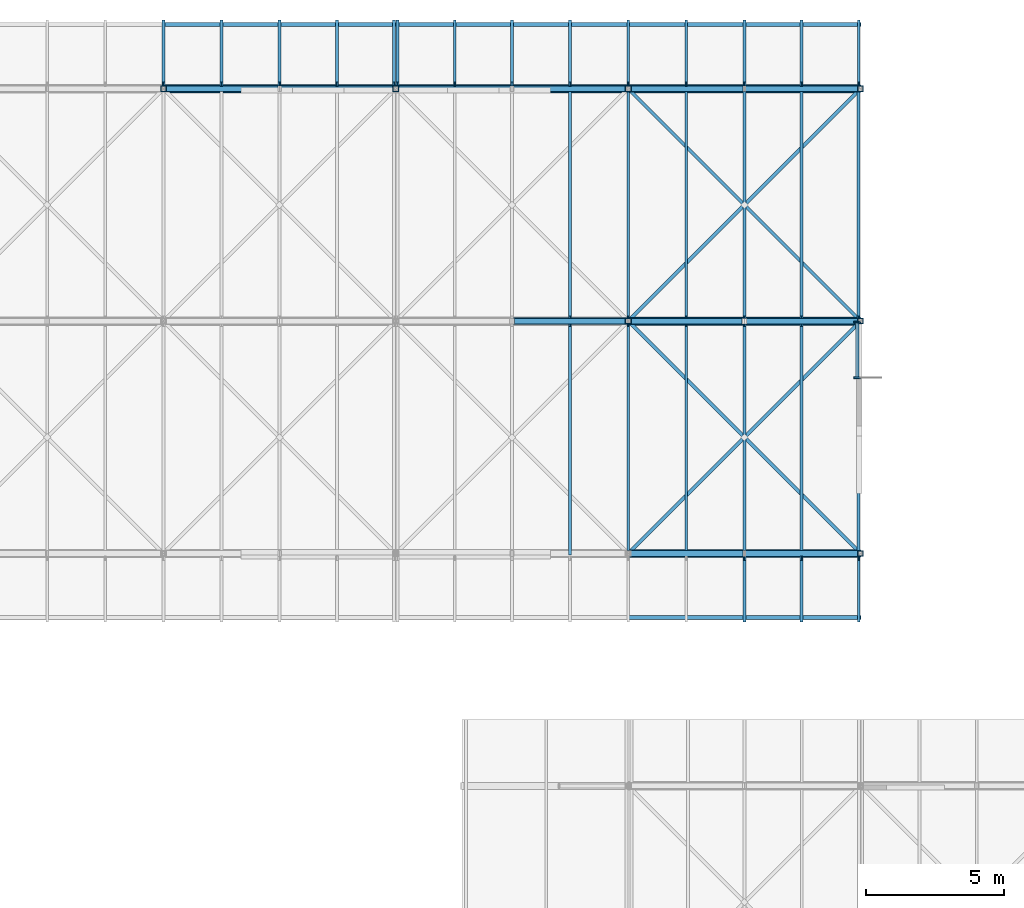
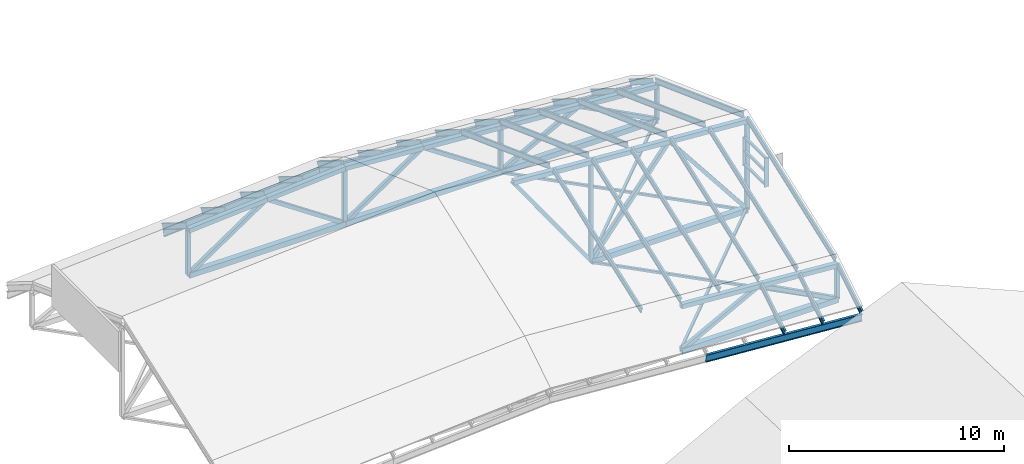
# One storey, part 23 of 76: 49 beams, 27 members, 1 element without a shape of its own.
"""IFC4 building model written with IfcOpenShell, lengths in metres."""

from ifc_helpers import new_model, si_unit, direction, frame, origin, origin_2d, place, context, subcontext, project, spatial, rectangle, hollow_rectangle, i_section, extrude, material, material_profile, profile_set, type_object, element, aggregate, save


model = new_model("IFC4")

# Units and contexts
model_context = context("Model", 3, precision=1e-05, world=origin(), true_north=direction((0.0, 1.0)))
body_context = subcontext(model_context, "Body", "Model", "MODEL_VIEW")
ifc_project = project(units=[si_unit("LENGTHUNIT", "METRE"), si_unit("AREAUNIT", "SQUARE_METRE"), si_unit("VOLUMEUNIT", "CUBIC_METRE"), si_unit("PLANEANGLEUNIT", "RADIAN"), si_unit("MASSUNIT", "GRAM", prefix="KILO")], contexts=[model_context])

# Site, building, storey
site_placement = place(None, origin())
site = spatial("IfcSite", under=ifc_project, at=site_placement, CompositionType="ELEMENT")
building_placement = place(site_placement, origin())
building = spatial("IfcBuilding", under=site, at=building_placement, Name="Hlaing Beacon Police Headquarters", CompositionType="ELEMENT")
storey_placement = place(building_placement, frame((0.0, 0.0, 18.89990234375)))
storey = spatial("IfcBuildingStorey", under=building, at=storey_placement, Name="L04", CompositionType="ELEMENT", Elevation=18.89990234375)

# Beams
ifc_material_1 = material(Name="Steel ASTM A992 Grade 50", Category="steel")
ifc_material_profile_1 = material_profile(ifc_material_1, i_section(OverallWidth=0.140380859375, OverallDepth=0.40380859375, WebThickness=0.007080078125, FlangeThickness=0.01123046875, FilletRadius=0.01025390625, at=origin_2d()), Name="W16x31")
ifc_profile_set_1 = profile_set([ifc_material_profile_1], Name="Steel ASTM A992 Grade 50")
beam_type_1 = type_object("IfcBeamType", Name="Eave edge beam W16x31", PredefinedType="BEAM", material=ifc_profile_set_1)
for number, where, z_axis, x_axis, name in (
    (1, (58.800048828125, 73.28271484375, -1.60009765625), (0.997459876989, 0.0, -0.071230567859), (0.0, 1.0, 0.0), "STR-RT-V2-EB-R2-02"),
    (2, (42.0, 94.71728515625, -1.60009765625), (0.997457816785, 0.0, 0.071259411546), (0.0, 1.0, 0.0), "STR-RT-V2-EB-R7-02"),
):
    element("IfcBeam", number, at=place(storey_placement, frame(where, z_axis=z_axis, x_axis=x_axis)), inside=storey, type_object=beam_type_1, Name=name, PredefinedType="BEAM", context=body_context, shape_type="SweptSolid", body=[
        extrude(i_section(OverallWidth=0.140380859375, OverallDepth=0.40380859375, WebThickness=0.007080078125, FlangeThickness=0.01123046875, FilletRadius=0.01025390625, at=origin_2d()), origin(), (0.0, 0.0, 1.0), 8.42138671875),
    ])
beam_1_placement = place(storey_placement, frame((50.39990234375, 94.71728515625, -1.0), z_axis=(0.997457963991, 0.0, -0.071257350989), x_axis=(0.0, 1.0, 0.0)))
element("IfcBeam", 3, at=beam_1_placement, inside=storey, type_object=beam_type_1, Name="STR-RT-V2-EB-R8-01", PredefinedType="BEAM", context=body_context, shape_type="SweptSolid", body=[
    extrude(i_section(OverallWidth=0.140380859375, OverallDepth=0.40380859375, WebThickness=0.007080078125, FlangeThickness=0.01123046875, FilletRadius=0.01025390625, at=origin_2d()), origin(), (0.0, 0.0, 1.0), 8.421630859375),
])
beam_2_placement = place(storey_placement, frame((58.800048828125, 94.71728515625, -1.60009765625), z_axis=(0.997459876989, 0.0, -0.071230567859), x_axis=(0.0, 1.0, 0.0)))
element("IfcBeam", 4, at=beam_2_placement, inside=storey, type_object=beam_type_1, Name="STR-RT-V2-EB-R8-02", PredefinedType="BEAM", context=body_context, shape_type="SweptSolid", body=[
    extrude(i_section(OverallWidth=0.140380859375, OverallDepth=0.40380859375, WebThickness=0.007080078125, FlangeThickness=0.01123046875, FilletRadius=0.01025390625, at=origin_2d()), origin(), (0.0, 0.0, 1.0), 8.42138671875),
])

# Curtain wall, members
ifc_material_2 = material(Name="Aluminium frame with solar control glazing", Category="aluminium")
curtain_wall_type = type_object("IfcCurtainWallType", Name="Unitised curtain wall 2.08 x 1.63 (250 frame)", PredefinedType="NOTDEFINED", material=ifc_material_2)
curtain_wall_placement = place(storey_placement, origin())
curtain_wall = element("IfcCurtainWall", 5, at=curtain_wall_placement, inside=storey, type_object=curtain_wall_type, Name="ENV-CW-L04-E003", PredefinedType="NOTDEFINED")
ifc_material_3 = material(Name="Aluminium", Category="aluminium")
ifc_material_profile_2 = material_profile(ifc_material_3, rectangle(XDim=0.25, YDim=0.06005859375, at=origin_2d()), Name="Mullion 60x250")
ifc_profile_set_2 = profile_set([ifc_material_profile_2], Name="Aluminium")
member_type_1 = type_object("IfcMemberType", Name="Mullion 60x250", PredefinedType="MULLION", material=ifc_profile_set_2)
member_1_placement = place(storey_placement, frame((67.074951171875, 81.952880859375, 0.0), z_axis=(0.0, 0.0, 1.0), x_axis=(-1.0, 0.0, 0.0)))
member_1 = element("IfcMember", 6, at=member_1_placement, type_object=member_type_1, Name="CW-L04-E003 mullion 1", PredefinedType="MULLION", context=body_context, shape_type="SweptSolid", body=[
    extrude(rectangle(XDim=0.25, YDim=0.06005859375, at=origin_2d()), origin(), (0.0, 0.0, 1.0), 1.63330078125),
])
member_2_placement = place(storey_placement, frame((67.074951171875, 83.969970703125, 0.0), z_axis=(0.0, 0.0, 1.0), x_axis=(-1.0, 0.0, 0.0)))
member_2 = element("IfcMember", 7, at=member_2_placement, type_object=member_type_1, Name="CW-L04-E003 mullion 2", PredefinedType="MULLION", context=body_context, shape_type="SweptSolid", body=[
    extrude(rectangle(XDim=0.25, YDim=0.06005859375, at=origin_2d()), origin(), (0.0, 0.0, 1.0), 1.63330078125),
])

# Members
ifc_material_4 = material(Name="Steel ASTM A500 Grade C", Category="steel")
ifc_material_profile_3 = material_profile(ifc_material_4, hollow_rectangle(XDim=0.126953125, YDim=0.126953125, WallThickness=0.009521484375, at=origin_2d()), Name="HSS5x5x3/8")
ifc_profile_set_3 = profile_set([ifc_material_profile_3], Name="Steel ASTM A500 Grade C")
member_type_2 = type_object("IfcMemberType", Name="Roof plan brace HSS5x5x3/8", PredefinedType="BRACE", material=ifc_profile_set_3)
for number, where, z_axis, x_axis, name in (
    (8, (58.800048828125, 75.60009765625, -2.47412109375), (0.707106781187, 0.707106781187, 0.0), (-0.707106781187, 0.707106781187, 0.0), "STR-RT-V2-WB07"),
    (9, (58.800048828125, 84.0, -2.62109375), (0.707106781187, -0.707106781187, 0.0), (0.707106781187, 0.707106781187, 0.0), "STR-RT-V2-WB08"),
    (10, (58.800048828125, 84.0, -2.47412109375), (0.707106781187, 0.707106781187, 0.0), (-0.707106781187, 0.707106781187, 0.0), "STR-RT-V2-WB15"),
    (11, (58.800048828125, 92.39990234375, -2.62109375), (0.707106781187, -0.707106781187, 0.0), (0.707106781187, 0.707106781187, 0.0), "STR-RT-V2-WB16"),
):
    element("IfcMember", number, at=place(storey_placement, frame(where, z_axis=z_axis, x_axis=x_axis)), inside=storey, type_object=member_type_2, Name=name, PredefinedType="BRACE", context=body_context, shape_type="SweptSolid", body=[
        extrude(hollow_rectangle(XDim=0.126953125, YDim=0.126953125, WallThickness=0.009521484375, at=origin_2d()), origin(), (0.0, 0.0, 1.0), 11.879150390625),
    ])

# Beams
ifc_material_5 = material(Name="Steel ASTM A992 Grade 50", Category="steel")
ifc_material_profile_4 = material_profile(ifc_material_5, i_section(OverallWidth=0.102294921875, OverallDepth=0.3125, WebThickness=0.006591796875, FlangeThickness=0.0107421875, FilletRadius=0.007568359375, at=origin_2d()), Name="W12x22")
ifc_profile_set_4 = profile_set([ifc_material_profile_4], Name="Steel ASTM A992 Grade 50")
beam_type_2 = type_object("IfcBeamType", Name="Roof purlin W12x22", PredefinedType="BEAM", material=ifc_profile_set_4)
for number, where, z_axis, x_axis, name in (
    (12, (63.0, 73.199951171875, -1.565185546875), (0.0, 0.848013935671, 0.529973928516), (-1.0, 0.0, 0.0), "STR-RT-V2-PR-R2-07-1"),
    (13, (65.06494140625, 73.199951171875, -1.712890625), (0.0, 0.847972250869, 0.530040622741), (-1.0, 0.0, 0.0), "STR-RT-V2-PR-R2-08-1"),
    (14, (67.129638671875, 73.199951171875, -1.8603515625), (0.0, 0.847972250869, 0.530040622741), (-1.0, 0.0, 0.0), "STR-RT-V2-PR-R2-09-1"),
):
    element("IfcBeam", number, at=place(storey_placement, frame(where, z_axis=z_axis, x_axis=x_axis)), inside=storey, type_object=beam_type_2, Name=name, PredefinedType="BEAM", context=body_context, shape_type="SweptSolid", body=[
        extrude(i_section(OverallWidth=0.102294921875, OverallDepth=0.3125, WebThickness=0.006591796875, FlangeThickness=0.0107421875, FilletRadius=0.007568359375, at=origin_2d()), origin(), (0.0, 0.0, 1.0), 2.63232421875),
    ])
for number, where, z_axis, x_axis, name in (
    (15, (56.699951171875, 75.60009765625, 0.41943359375), (0.0, 0.938153150415, 0.346220545846), (-1.0, 0.0, 0.0), "STR-RT-V2-PR-R4-04-1"),
    (16, (58.800048828125, 75.60009765625, 0.269287109375), (0.0, 0.938144144405, 0.346244948437), (-1.0, 0.0, 0.0), "STR-RT-V2-PR-R4-05-1"),
    (17, (60.89990234375, 75.60009765625, 0.119384765625), (0.0, 0.938144144405, 0.346244948437), (-1.0, 0.0, 0.0), "STR-RT-V2-PR-R4-06-1"),
    (18, (63.0, 75.60009765625, -0.030517578125), (0.0, 0.938153150415, 0.346220545846), (-1.0, 0.0, 0.0), "STR-RT-V2-PR-R4-07-1"),
    (19, (65.064453125, 75.60009765625, -0.17822265625), (0.0, 0.938144144405, 0.346244948437), (-1.0, 0.0, 0.0), "STR-RT-V2-PR-R4-08-1"),
    (20, (67.12890625, 75.60009765625, -0.325439453125), (0.0, 0.938153150415, 0.346220545846), (-1.0, 0.0, 0.0), "STR-RT-V2-PR-R4-09-1"),
    (21, (56.699951171875, 84.13916015625, 3.468017578125), (0.0, 0.938153150415, -0.346220545846), (-1.0, 0.0, 0.0), "STR-RT-V2-PR-R6-04-1"),
    (22, (58.800048828125, 84.13916015625, 3.318115234375), (0.0, 0.938144144405, -0.346244948437), (-1.0, 0.0, 0.0), "STR-RT-V2-PR-R6-05-1"),
    (23, (60.89990234375, 84.13916015625, 3.168212890625), (0.0, 0.938144144405, -0.346244948437), (-1.0, 0.0, 0.0), "STR-RT-V2-PR-R6-06-1"),
    (24, (63.0, 84.13916015625, 3.01806640625), (0.0, 0.938153150415, -0.346220545846), (-1.0, 0.0, 0.0), "STR-RT-V2-PR-R6-07-1"),
    (25, (65.064453125, 84.13916015625, 2.87060546875), (0.0, 0.938144144405, -0.346244948437), (-1.0, 0.0, 0.0), "STR-RT-V2-PR-R6-08-1"),
    (26, (67.12890625, 84.13916015625, 2.72314453125), (0.0, 0.938153150415, -0.346220545846), (-1.0, 0.0, 0.0), "STR-RT-V2-PR-R6-09-1"),
):
    element("IfcBeam", number, at=place(storey_placement, frame(where, z_axis=z_axis, x_axis=x_axis)), inside=storey, type_object=beam_type_2, Name=name, PredefinedType="BEAM", context=body_context, shape_type="SweptSolid", body=[
        extrude(i_section(OverallWidth=0.102294921875, OverallDepth=0.3125, WebThickness=0.006591796875, FlangeThickness=0.0107421875, FilletRadius=0.007568359375, at=origin_2d()), origin(), (0.0, 0.0, 1.0), 8.805419921875),
    ])
for number, where, z_axis, x_axis, name in (
    (27, (42.0, 92.56787109375, 0.1298828125), (0.0, 0.847972250869, -0.530040622741), (-1.0, 0.0, 0.0), "STR-RT-V2-PR-R7-05-1"),
    (28, (44.10009765625, 92.56787109375, 0.27978515625), (0.0, 0.848013935671, -0.529973928516), (-1.0, 0.0, 0.0), "STR-RT-V2-PR-R7-06-1"),
    (29, (46.199951171875, 92.56787109375, 0.429931640625), (0.0, 0.847972250869, -0.530040622741), (-1.0, 0.0, 0.0), "STR-RT-V2-PR-R7-07-1"),
    (30, (48.269287109375, 92.56787109375, 0.57763671875), (0.0, 0.848013935671, -0.529973928516), (-1.0, 0.0, 0.0), "STR-RT-V2-PR-R7-08-1"),
    (31, (50.3388671875, 92.56787109375, 0.7255859375), (0.0, 0.847972250869, -0.530040622741), (-1.0, 0.0, 0.0), "STR-RT-V2-PR-R7-09-1"),
    (32, (50.461181640625, 92.56787109375, 0.7255859375), (0.0, 0.847972250869, -0.530040622741), (-1.0, 0.0, 0.0), "STR-RT-V2-PR-R8-01-1"),
    (33, (52.530517578125, 92.56787109375, 0.57763671875), (0.0, 0.848013935671, -0.529973928516), (-1.0, 0.0, 0.0), "STR-RT-V2-PR-R8-02-1"),
    (34, (54.60009765625, 92.56787109375, 0.429931640625), (0.0, 0.847972250869, -0.530040622741), (-1.0, 0.0, 0.0), "STR-RT-V2-PR-R8-03-1"),
    (35, (56.699951171875, 92.56787109375, 0.27978515625), (0.0, 0.848013935671, -0.529973928516), (-1.0, 0.0, 0.0), "STR-RT-V2-PR-R8-04-1"),
    (36, (58.800048828125, 92.56787109375, 0.1298828125), (0.0, 0.847972250869, -0.530040622741), (-1.0, 0.0, 0.0), "STR-RT-V2-PR-R8-05-1"),
    (37, (60.89990234375, 92.56787109375, -0.02001953125), (0.0, 0.847972250869, -0.530040622741), (-1.0, 0.0, 0.0), "STR-RT-V2-PR-R8-06-1"),
    (38, (63.0, 92.56787109375, -0.170166015625), (0.0, 0.848013935671, -0.529973928516), (-1.0, 0.0, 0.0), "STR-RT-V2-PR-R8-07-1"),
    (39, (65.06494140625, 92.56787109375, -0.317626953125), (0.0, 0.847972250869, -0.530040622741), (-1.0, 0.0, 0.0), "STR-RT-V2-PR-R8-08-1"),
    (40, (67.129638671875, 92.56787109375, -0.465087890625), (0.0, 0.847972250869, -0.530040622741), (-1.0, 0.0, 0.0), "STR-RT-V2-PR-R8-09-1"),
):
    element("IfcBeam", number, at=place(storey_placement, frame(where, z_axis=z_axis, x_axis=x_axis)), inside=storey, type_object=beam_type_2, Name=name, PredefinedType="BEAM", context=body_context, shape_type="SweptSolid", body=[
        extrude(i_section(OverallWidth=0.102294921875, OverallDepth=0.3125, WebThickness=0.006591796875, FlangeThickness=0.0107421875, FilletRadius=0.007568359375, at=origin_2d()), origin(), (0.0, 0.0, 1.0), 2.63232421875),
    ])

# Member
ifc_material_6 = material(Name="Aluminium", Category="aluminium")
ifc_material_profile_5 = material_profile(ifc_material_6, rectangle(XDim=0.1201171875, YDim=0.10009765625, at=origin_2d()), Name="Transom 120x100")
ifc_profile_set_5 = profile_set([ifc_material_profile_5], Name="Aluminium")
member_type_3 = type_object("IfcMemberType", Name="Transom 120x100", PredefinedType="USERDEFINED", material=ifc_profile_set_5)
member_3_placement = place(storey_placement, frame((67.074951171875, 81.98291015625, 0.050048828125), z_axis=(0.0, 1.0, 0.0), x_axis=(-1.0, 0.0, 0.0)))
member_3 = element("IfcMember", 41, at=member_3_placement, type_object=member_type_3, Name="CW-L04-E003 transom 1.1", ObjectType="TRANSOM", PredefinedType="USERDEFINED", context=body_context, shape_type="SweptSolid", body=[
    extrude(rectangle(XDim=0.1201171875, YDim=0.10009765625, at=origin_2d()), origin(), (0.0, 0.0, 1.0), 1.95703125),
])

member_4_placement = place(storey_placement, frame((67.074951171875, 81.98291015625, 0.817138671875), z_axis=(0.0, 1.0, 0.0), x_axis=(-1.0, 0.0, 0.0)))
member_4 = element("IfcMember", 42, at=member_4_placement, type_object=member_type_3, Name="CW-L04-E003 transom 1.2", ObjectType="TRANSOM", PredefinedType="USERDEFINED", context=body_context, shape_type="SweptSolid", body=[
    extrude(rectangle(XDim=0.1201171875, YDim=0.10009765625, at=origin_2d()), origin(), (0.0, 0.0, 1.0), 1.95703125),
])

member_5_placement = place(storey_placement, frame((67.074951171875, 81.98291015625, 1.58349609375), z_axis=(0.0, 1.0, 0.0), x_axis=(-1.0, 0.0, 0.0)))
member_5 = element("IfcMember", 43, at=member_5_placement, type_object=member_type_3, Name="CW-L04-E003 transom 1.3", ObjectType="TRANSOM", PredefinedType="USERDEFINED", context=body_context, shape_type="SweptSolid", body=[
    extrude(rectangle(XDim=0.1201171875, YDim=0.10009765625, at=origin_2d()), origin(), (0.0, 0.0, 1.0), 1.95703125),
])

aggregate(curtain_wall, [member_1, member_2, member_3, member_4, member_5])

# Beams
ifc_material_7 = material(Name="Steel ASTM A500 Grade C", Category="steel")
ifc_material_profile_6 = material_profile(ifc_material_7, hollow_rectangle(XDim=0.3046875, YDim=0.3046875, WallThickness=0.015869140625, at=origin_2d()), Name="HSS12x12x5/8")
ifc_profile_set_6 = profile_set([ifc_material_profile_6], Name="Steel ASTM A500 Grade C")
beam_type_3 = type_object("IfcBeamType", Name="Truss bottom chord HSS12x12x5/8", PredefinedType="BEAM", material=ifc_profile_set_6)
for number, where, z_axis, x_axis, name in (
    (44, (58.800048828125, 75.60009765625, -2.547607421875), (1.0, 0.0, 0.0), (0.0, 1.0, 0.0), "STR-RT-V2-T1-BC04"),
    (45, (58.800048828125, 84.0, -2.547607421875), (1.0, 0.0, 0.0), (0.0, 1.0, 0.0), "STR-RT-V2-T2-BC04"),
    (46, (42.0, 92.39990234375, -2.547607421875), (1.0, 0.0, 0.0), (0.0, 1.0, 0.0), "STR-RT-V2-T3-BC02"),
):
    element("IfcBeam", number, at=place(storey_placement, frame(where, z_axis=z_axis, x_axis=x_axis)), inside=storey, type_object=beam_type_3, Name=name, PredefinedType="BEAM", context=body_context, shape_type="SweptSolid", body=[
        extrude(hollow_rectangle(XDim=0.3046875, YDim=0.3046875, WallThickness=0.015869140625, at=origin_2d()), origin(), (0.0, 0.0, 1.0), 8.39990234375),
    ])
beam_3_placement = place(storey_placement, frame((50.39990234375, 92.39990234375, -2.547607421875), z_axis=(1.0, 0.0, 0.0), x_axis=(0.0, 1.0, 0.0)))
element("IfcBeam", 47, at=beam_3_placement, inside=storey, type_object=beam_type_3, Name="STR-RT-V2-T3-BC03", PredefinedType="BEAM", context=body_context, shape_type="SweptSolid", body=[
    extrude(hollow_rectangle(XDim=0.3046875, YDim=0.3046875, WallThickness=0.015869140625, at=origin_2d()), origin(), (0.0, 0.0, 1.0), 8.400146484375),
])
beam_4_placement = place(storey_placement, frame((58.800048828125, 92.39990234375, -2.547607421875), z_axis=(1.0, 0.0, 0.0), x_axis=(0.0, 1.0, 0.0)))
element("IfcBeam", 48, at=beam_4_placement, inside=storey, type_object=beam_type_3, Name="STR-RT-V2-T3-BC04", PredefinedType="BEAM", context=body_context, shape_type="SweptSolid", body=[
    extrude(hollow_rectangle(XDim=0.3046875, YDim=0.3046875, WallThickness=0.015869140625, at=origin_2d()), origin(), (0.0, 0.0, 1.0), 8.39990234375),
])

# Members
ifc_material_8 = material(Name="Steel ASTM A500 Grade C", Category="steel")
ifc_material_profile_7 = material_profile(ifc_material_8, hollow_rectangle(XDim=0.203125, YDim=0.203125, WallThickness=0.015869140625, at=origin_2d()), Name="HSS8x8x5/8")
ifc_profile_set_7 = profile_set([ifc_material_profile_7], Name="Steel ASTM A500 Grade C")
member_type_4 = type_object("IfcMemberType", Name="Truss post HSS8x8x5/8", PredefinedType="POST", material=ifc_profile_set_7)
member_6_placement = place(storey_placement, frame((67.199951171875, 75.60009765625, -2.547607421875), z_axis=(0.0, 0.0, 1.0), x_axis=(1.0, 0.0, 0.0)))
element("IfcMember", 49, at=member_6_placement, inside=storey, type_object=member_type_4, Name="STR-RT-V2-T1-PS05", PredefinedType="POST", context=body_context, shape_type="SweptSolid", body=[
    extrude(hollow_rectangle(XDim=0.203125, YDim=0.203125, WallThickness=0.015869140625, at=origin_2d()), origin(), (0.0, 0.0, 1.0), 1.931884765625),
])
member_7_placement = place(storey_placement, frame((58.800048828125, 84.0, -2.547607421875), z_axis=(0.0, 0.0, 1.0), x_axis=(1.0, 0.0, 0.0)))
element("IfcMember", 50, at=member_7_placement, inside=storey, type_object=member_type_4, Name="STR-RT-V2-T2-PS04", PredefinedType="POST", context=body_context, shape_type="SweptSolid", body=[
    extrude(hollow_rectangle(XDim=0.203125, YDim=0.203125, WallThickness=0.015869140625, at=origin_2d()), origin(), (0.0, 0.0, 1.0), 5.640380859375),
])
member_8_placement = place(storey_placement, frame((67.199951171875, 84.0, -2.547607421875), z_axis=(0.0, 0.0, 1.0), x_axis=(1.0, 0.0, 0.0)))
element("IfcMember", 51, at=member_8_placement, inside=storey, type_object=member_type_4, Name="STR-RT-V2-T2-PS05", PredefinedType="POST", context=body_context, shape_type="SweptSolid", body=[
    extrude(hollow_rectangle(XDim=0.203125, YDim=0.203125, WallThickness=0.015869140625, at=origin_2d()), origin(), (0.0, 0.0, 1.0), 5.040283203125),
])
member_9_placement = place(storey_placement, frame((42.0, 92.39990234375, -2.547607421875), z_axis=(0.0, 0.0, 1.0), x_axis=(1.0, 0.0, 0.0)))
element("IfcMember", 52, at=member_9_placement, inside=storey, type_object=member_type_4, Name="STR-RT-V2-T3-PS02", PredefinedType="POST", context=body_context, shape_type="SweptSolid", body=[
    extrude(hollow_rectangle(XDim=0.203125, YDim=0.203125, WallThickness=0.015869140625, at=origin_2d()), origin(), (0.0, 0.0, 1.0), 2.531982421875),
])
member_10_placement = place(storey_placement, frame((50.39990234375, 92.39990234375, -2.547607421875), z_axis=(0.0, 0.0, 1.0), x_axis=(1.0, 0.0, 0.0)))
element("IfcMember", 53, at=member_10_placement, inside=storey, type_object=member_type_4, Name="STR-RT-V2-T3-PS03", PredefinedType="POST", context=body_context, shape_type="SweptSolid", body=[
    extrude(hollow_rectangle(XDim=0.203125, YDim=0.203125, WallThickness=0.015869140625, at=origin_2d()), origin(), (0.0, 0.0, 1.0), 3.143798828125),
])
member_11_placement = place(storey_placement, frame((58.800048828125, 92.39990234375, -2.547607421875), z_axis=(0.0, 0.0, 1.0), x_axis=(1.0, 0.0, 0.0)))
element("IfcMember", 54, at=member_11_placement, inside=storey, type_object=member_type_4, Name="STR-RT-V2-T3-PS04", PredefinedType="POST", context=body_context, shape_type="SweptSolid", body=[
    extrude(hollow_rectangle(XDim=0.203125, YDim=0.203125, WallThickness=0.015869140625, at=origin_2d()), origin(), (0.0, 0.0, 1.0), 2.531982421875),
])
member_12_placement = place(storey_placement, frame((67.199951171875, 92.39990234375, -2.547607421875), z_axis=(0.0, 0.0, 1.0), x_axis=(1.0, 0.0, 0.0)))
element("IfcMember", 55, at=member_12_placement, inside=storey, type_object=member_type_4, Name="STR-RT-V2-T3-PS05", PredefinedType="POST", context=body_context, shape_type="SweptSolid", body=[
    extrude(hollow_rectangle(XDim=0.203125, YDim=0.203125, WallThickness=0.015869140625, at=origin_2d()), origin(), (0.0, 0.0, 1.0), 1.931884765625),
])

# Beams
ifc_material_9 = material(Name="Steel ASTM A500 Grade C", Category="steel")
ifc_material_profile_8 = material_profile(ifc_material_9, hollow_rectangle(XDim=0.25390625, YDim=0.25390625, WallThickness=0.015869140625, at=origin_2d()), Name="HSS10x10x5/8")
ifc_profile_set_8 = profile_set([ifc_material_profile_8], Name="Steel ASTM A500 Grade C")
beam_type_4 = type_object("IfcBeamType", Name="Truss top chord HSS10x10x5/8", PredefinedType="BEAM", material=ifc_profile_set_8)
for number, where, z_axis, x_axis, name in (
    (56, (58.800048828125, 75.60009765625, -0.015625), (0.997457816785, 0.0, -0.071259411546), (0.0, 1.0, 0.0), "STR-RT-V2-T1-TC07"),
    (57, (63.0, 75.60009765625, -0.315673828125), (0.997457816785, 0.0, -0.071259411546), (0.0, 1.0, 0.0), "STR-RT-V2-T1-TC08"),
    (58, (54.60009765625, 84.0, 3.392822265625), (0.997457816785, 0.0, -0.071259411546), (0.0, 1.0, 0.0), "STR-RT-V2-T2-TC06"),
    (59, (58.800048828125, 84.0, 3.0927734375), (0.997457816785, 0.0, -0.071259411546), (0.0, 1.0, 0.0), "STR-RT-V2-T2-TC07"),
    (60, (63.0, 84.0, 2.792724609375), (0.997457816785, 0.0, -0.071259411546), (0.0, 1.0, 0.0), "STR-RT-V2-T2-TC08"),
    (61, (42.0, 92.39990234375, -0.015625), (0.997461936367, 0.0, 0.071201723993), (0.0, 1.0, 0.0), "STR-RT-V2-T3-TC03"),
):
    element("IfcBeam", number, at=place(storey_placement, frame(where, z_axis=z_axis, x_axis=x_axis)), inside=storey, type_object=beam_type_4, Name=name, PredefinedType="BEAM", context=body_context, shape_type="SweptSolid", body=[
        extrude(hollow_rectangle(XDim=0.25390625, YDim=0.25390625, WallThickness=0.015869140625, at=origin_2d()), origin(), (0.0, 0.0, 1.0), 4.210693359375),
    ])
beam_5_placement = place(storey_placement, frame((46.199951171875, 92.39990234375, 0.2841796875), z_axis=(0.997251914502, 0.0, 0.074085214598), x_axis=(0.0, 1.0, 0.0)))
element("IfcBeam", 62, at=beam_5_placement, inside=storey, type_object=beam_type_4, Name="STR-RT-V2-T3-TC04", PredefinedType="BEAM", context=body_context, shape_type="SweptSolid", body=[
    extrude(hollow_rectangle(XDim=0.25390625, YDim=0.25390625, WallThickness=0.015869140625, at=origin_2d()), origin(), (0.0, 0.0, 1.0), 4.21142578125),
])
beam_6_placement = place(storey_placement, frame((50.39990234375, 92.39990234375, 0.59619140625), z_axis=(0.997252232648, 0.0, -0.074080931953), x_axis=(0.0, 1.0, 0.0)))
element("IfcBeam", 63, at=beam_6_placement, inside=storey, type_object=beam_type_4, Name="STR-RT-V2-T3-TC05", PredefinedType="BEAM", context=body_context, shape_type="SweptSolid", body=[
    extrude(hollow_rectangle(XDim=0.25390625, YDim=0.25390625, WallThickness=0.015869140625, at=origin_2d()), origin(), (0.0, 0.0, 1.0), 4.211669921875),
])
for number, where, z_axis, x_axis, name in (
    (64, (54.60009765625, 92.39990234375, 0.2841796875), (0.997461936367, 0.0, -0.071201723993), (0.0, 1.0, 0.0), "STR-RT-V2-T3-TC06"),
    (65, (58.800048828125, 92.39990234375, -0.015625), (0.997457816785, 0.0, -0.071259411546), (0.0, 1.0, 0.0), "STR-RT-V2-T3-TC07"),
    (66, (63.0, 92.39990234375, -0.315673828125), (0.997457816785, 0.0, -0.071259411546), (0.0, 1.0, 0.0), "STR-RT-V2-T3-TC08"),
):
    element("IfcBeam", number, at=place(storey_placement, frame(where, z_axis=z_axis, x_axis=x_axis)), inside=storey, type_object=beam_type_4, Name=name, PredefinedType="BEAM", context=body_context, shape_type="SweptSolid", body=[
        extrude(hollow_rectangle(XDim=0.25390625, YDim=0.25390625, WallThickness=0.015869140625, at=origin_2d()), origin(), (0.0, 0.0, 1.0), 4.210693359375),
    ])

# Members
ifc_material_10 = material(Name="Steel ASTM A500 Grade C", Category="steel")
ifc_material_profile_9 = material_profile(ifc_material_10, hollow_rectangle(XDim=0.203125, YDim=0.203125, WallThickness=0.0126953125, at=origin_2d()), Name="HSS8x8x1/2")
ifc_profile_set_9 = profile_set([ifc_material_profile_9], Name="Steel ASTM A500 Grade C")
member_type_5 = type_object("IfcMemberType", Name="Truss web HSS8x8x1/2", PredefinedType="BRACE", material=ifc_profile_set_9)
for number, where, z_axis, x_axis, name in (
    (67, (58.800048828125, 75.60009765625, -2.547607421875), (0.883053903014, 0.0, 0.469271567828), (0.0, 1.0, 0.0), "STR-RT-V2-T1-DG07"),
    (68, (63.0, 75.60009765625, -0.315673828125), (0.883053903014, 0.0, -0.469271567828), (0.0, 1.0, 0.0), "STR-RT-V2-T1-DG08"),
):
    element("IfcMember", number, at=place(storey_placement, frame(where, z_axis=z_axis, x_axis=x_axis)), inside=storey, type_object=member_type_5, Name=name, PredefinedType="BRACE", context=body_context, shape_type="SweptSolid", body=[
        extrude(hollow_rectangle(XDim=0.203125, YDim=0.203125, WallThickness=0.0126953125, at=origin_2d()), origin(), (0.0, 0.0, 1.0), 4.756103515625),
    ])
member_13_placement = place(storey_placement, frame((54.60009765625, 84.0, 3.392822265625), z_axis=(0.577298315763, 0.0, -0.816533315069), x_axis=(0.0, 1.0, 0.0)))
element("IfcMember", 69, at=member_13_placement, inside=storey, type_object=member_type_5, Name="STR-RT-V2-T2-DG06", PredefinedType="BRACE", context=body_context, shape_type="SweptSolid", body=[
    extrude(hollow_rectangle(XDim=0.203125, YDim=0.203125, WallThickness=0.0126953125, at=origin_2d()), origin(), (0.0, 0.0, 1.0), 7.275146484375),
])
for number, where, z_axis, x_axis, name in (
    (70, (58.800048828125, 84.0, -2.547607421875), (0.618183326638, 0.0, 0.786033952617), (0.0, 1.0, 0.0), "STR-RT-V2-T2-DG07"),
    (71, (63.0, 84.0, 2.792724609375), (0.618183326638, 0.0, -0.786033952617), (0.0, 1.0, 0.0), "STR-RT-V2-T2-DG08"),
):
    element("IfcMember", number, at=place(storey_placement, frame(where, z_axis=z_axis, x_axis=x_axis)), inside=storey, type_object=member_type_5, Name=name, PredefinedType="BRACE", context=body_context, shape_type="SweptSolid", body=[
        extrude(hollow_rectangle(XDim=0.203125, YDim=0.203125, WallThickness=0.0126953125, at=origin_2d()), origin(), (0.0, 0.0, 1.0), 6.7939453125),
    ])
for number, where, z_axis, x_axis, name in (
    (72, (42.0, 92.39990234375, -2.547607421875), (0.829139670788, 0.0, 0.5590415068), (0.0, 1.0, 0.0), "STR-RT-V2-T3-DG03"),
    (73, (46.199951171875, 92.39990234375, 0.2841796875), (0.829139670788, 0.0, -0.5590415068), (0.0, 1.0, 0.0), "STR-RT-V2-T3-DG04"),
):
    element("IfcMember", number, at=place(storey_placement, frame(where, z_axis=z_axis, x_axis=x_axis)), inside=storey, type_object=member_type_5, Name=name, PredefinedType="BRACE", context=body_context, shape_type="SweptSolid", body=[
        extrude(hollow_rectangle(XDim=0.203125, YDim=0.203125, WallThickness=0.0126953125, at=origin_2d()), origin(), (0.0, 0.0, 1.0), 5.0654296875),
    ])
member_14_placement = place(storey_placement, frame((50.39990234375, 92.39990234375, -2.547607421875), z_axis=(0.82915473289, 0.0, 0.559019166868), x_axis=(0.0, 1.0, 0.0)))
element("IfcMember", 74, at=member_14_placement, inside=storey, type_object=member_type_5, Name="STR-RT-V2-T3-DG05", PredefinedType="BRACE", context=body_context, shape_type="SweptSolid", body=[
    extrude(hollow_rectangle(XDim=0.203125, YDim=0.203125, WallThickness=0.0126953125, at=origin_2d()), origin(), (0.0, 0.0, 1.0), 5.065673828125),
])
member_15_placement = place(storey_placement, frame((54.60009765625, 92.39990234375, 0.2841796875), z_axis=(0.829139670788, 0.0, -0.5590415068), x_axis=(0.0, 1.0, 0.0)))
element("IfcMember", 75, at=member_15_placement, inside=storey, type_object=member_type_5, Name="STR-RT-V2-T3-DG06", PredefinedType="BRACE", context=body_context, shape_type="SweptSolid", body=[
    extrude(hollow_rectangle(XDim=0.203125, YDim=0.203125, WallThickness=0.0126953125, at=origin_2d()), origin(), (0.0, 0.0, 1.0), 5.0654296875),
])
for number, where, z_axis, x_axis, name in (
    (76, (58.800048828125, 92.39990234375, -2.547607421875), (0.883053903014, 0.0, 0.469271567828), (0.0, 1.0, 0.0), "STR-RT-V2-T3-DG07"),
    (77, (63.0, 92.39990234375, -0.315673828125), (0.883053903014, 0.0, -0.469271567828), (0.0, 1.0, 0.0), "STR-RT-V2-T3-DG08"),
):
    element("IfcMember", number, at=place(storey_placement, frame(where, z_axis=z_axis, x_axis=x_axis)), inside=storey, type_object=member_type_5, Name=name, PredefinedType="BRACE", context=body_context, shape_type="SweptSolid", body=[
        extrude(hollow_rectangle(XDim=0.203125, YDim=0.203125, WallThickness=0.0126953125, at=origin_2d()), origin(), (0.0, 0.0, 1.0), 4.756103515625),
    ])

save(model, "model.ifc")
